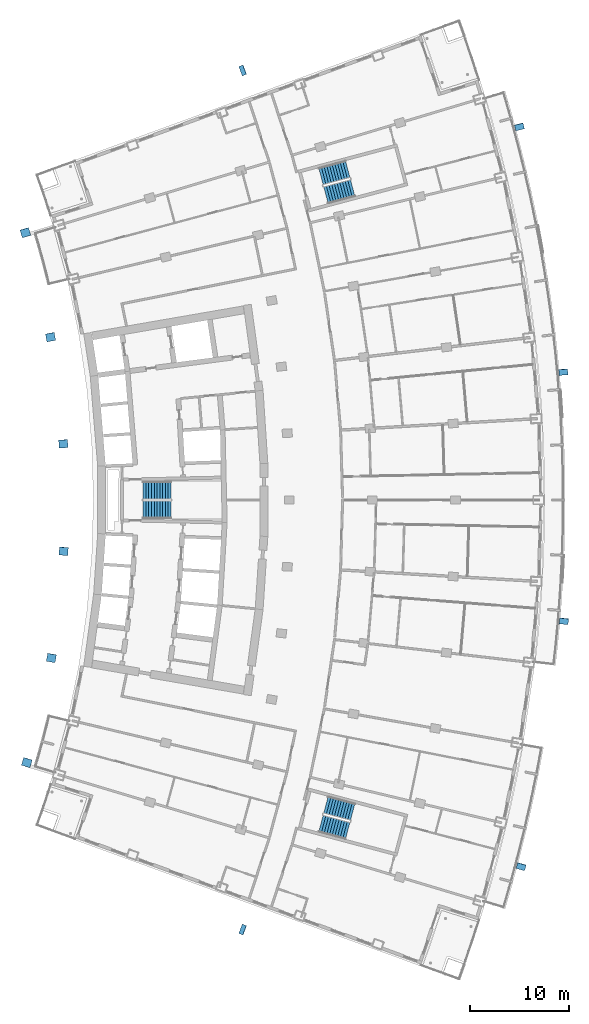
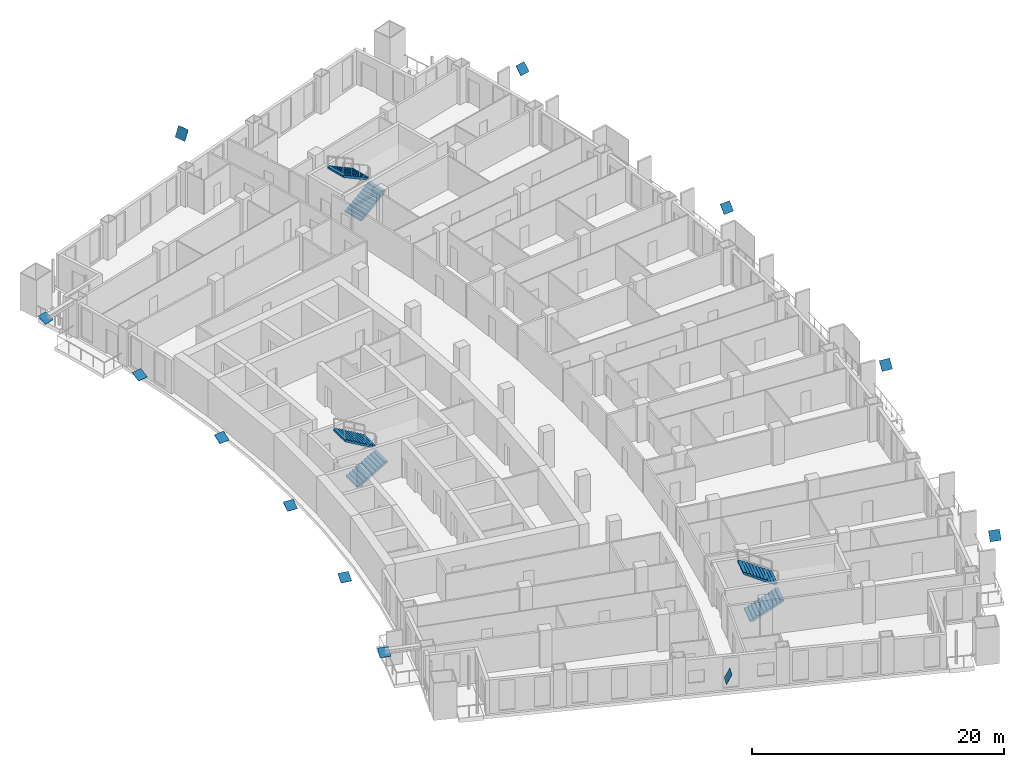
# One storey, part 22 of 25: 12 discrete accessories, 6 stair flights, 3 elements without a shape of their own.
"""IFC4 building model written with IfcOpenShell, lengths in metres."""

from ifc_helpers import new_model, si_unit, direction, frame, origin, origin_2d, place, context, subcontext, project, spatial, polyline, rectangle, outline, extrude, material, layer, layer_set, material_profile, profile_set, type_object, element, aggregate, save


model = new_model("IFC4")

# Units and contexts
model_context = context("Model", 3, precision=1e-05, world=origin(), true_north=direction((0.0, 1.0)))
body_context = subcontext(model_context, "Body", "Model", "MODEL_VIEW")
ifc_project = project(units=[si_unit("LENGTHUNIT", "METRE"), si_unit("AREAUNIT", "SQUARE_METRE"), si_unit("VOLUMEUNIT", "CUBIC_METRE"), si_unit("PLANEANGLEUNIT", "RADIAN"), si_unit("MASSUNIT", "GRAM", prefix="KILO")], contexts=[model_context])

# Site, building, storey
site_placement = place(None, origin())
site = spatial("IfcSite", under=ifc_project, at=site_placement, CompositionType="ELEMENT")
building_placement = place(site_placement, origin())
building = spatial("IfcBuilding", under=site, at=building_placement, Name="Alderwake Tower", CompositionType="ELEMENT")
storey_placement = place(building_placement, frame((0.0, 0.0, 111.199951171875)))
storey = spatial("IfcBuildingStorey", under=building, at=storey_placement, Name="L27", CompositionType="ELEMENT", Elevation=111.199951171875)

# Stair, stair flights
ifc_material_1 = material(Name="Concrete C40/50", Category="concrete")
stair_type = type_object("IfcStairType", Name="Core exit stair", PredefinedType="HALF_TURN_STAIR", material=ifc_material_1)
stair_1_placement = place(storey_placement, origin())
stair_1 = element("IfcStair", 1, at=stair_1_placement, inside=storey, type_object=stair_type, Name="L27 Exit Stair B", PredefinedType="HALF_TURN_STAIR")
ifc_material_2 = material(Name="Concrete C40/50", Category="concrete")
ifc_layer = layer(ifc_material_2, 0.14990234375)
ifc_layer_set = layer_set([ifc_layer], Name="Core stair flight")
stair_flight_type = type_object("IfcStairFlightType", Name="Core stair flight", PredefinedType="STRAIGHT", material=ifc_layer_set)
stair_flight_1_placement = place(storey_placement, frame((21.0400390625, 60.02490234375, 0.0), z_axis=(0.0, 0.0, 1.0), x_axis=(1.0, 0.0, 0.0)))
stair_flight_1 = element("IfcStairFlight", 2, at=stair_flight_1_placement, type_object=stair_flight_type, Name="ST-B flight 1", NumberOfRisers=11, NumberOfTreads=10, PredefinedType="STRAIGHT", RiserHeight=0.163636364, TreadLength=0.28, context=body_context, shape_type="SweptSolid", body=[
    extrude(outline(polyline([(0.0, 0.0), (0.0, 0.16357421875), (0.280029296875, 0.16357421875), (0.280029296875, 0.327392578125), (0.56005859375, 0.327392578125), (0.56005859375, 0.490966796875), (0.840087890625, 0.490966796875), (0.840087890625, 0.654541015625), (1.1201171875, 0.654541015625), (1.1201171875, 0.818115234375), (1.39990234375, 0.818115234375), (1.39990234375, 0.98193359375), (1.679931640625, 0.98193359375), (1.679931640625, 1.1455078125), (1.9599609375, 1.1455078125), (1.9599609375, 1.30908203125), (2.239990234375, 1.30908203125), (2.239990234375, 1.47265625), (2.52001953125, 1.47265625), (2.52001953125, 1.636474609375), (2.800048828125, 1.636474609375), (2.800048828125, 1.800048828125), (2.800048828125, 1.462646484375), (0.297119140625, 0.0), (0.0, 0.0)])), frame((0.0, 0.89990234375, 0.0), z_axis=(0.0, -1.0, 0.0), x_axis=(1.0, 0.0, 0.0)), (0.0, 0.0, 1.0), 1.800048828125),
])
stair_flight_2_placement = place(storey_placement, frame((23.840087890625, 61.97509765625, 1.800048828125), z_axis=(0.0, 0.0, 1.0), x_axis=(-1.0, 0.0, 0.0)))
stair_flight_2 = element("IfcStairFlight", 3, at=stair_flight_2_placement, type_object=stair_flight_type, Name="ST-B flight 2", NumberOfRisers=11, NumberOfTreads=10, PredefinedType="STRAIGHT", RiserHeight=0.163636364, TreadLength=0.28, context=body_context, shape_type="SweptSolid", body=[
    extrude(outline(polyline([(0.0, 0.0), (0.0, 0.16357421875), (0.280029296875, 0.16357421875), (0.280029296875, 0.327392578125), (0.56005859375, 0.327392578125), (0.56005859375, 0.490966796875), (0.840087890625, 0.490966796875), (0.840087890625, 0.654541015625), (1.1201171875, 0.654541015625), (1.1201171875, 0.818115234375), (1.39990234375, 0.818115234375), (1.39990234375, 0.98193359375), (1.679931640625, 0.98193359375), (1.679931640625, 1.1455078125), (1.9599609375, 1.1455078125), (1.9599609375, 1.30908203125), (2.239990234375, 1.30908203125), (2.239990234375, 1.47265625), (2.52001953125, 1.47265625), (2.52001953125, 1.636474609375), (2.800048828125, 1.636474609375), (2.800048828125, 1.800048828125), (2.800048828125, 1.462646484375), (0.297119140625, 0.0), (0.0, 0.0)])), frame((0.0, 0.89990234375, 0.0), z_axis=(0.0, -1.0, 0.0), x_axis=(1.0, 0.0, 0.0)), (0.0, 0.0, 1.0), 1.800048828125),
])
aggregate(stair_1, [stair_flight_1, stair_flight_2])

stair_2_placement = place(storey_placement, origin())
stair_2 = element("IfcStair", 4, at=stair_2_placement, inside=storey, type_object=stair_type, Name="L27 Exit Stair A", PredefinedType="HALF_TURN_STAIR")
stair_flight_3_placement = place(storey_placement, frame((39.512939453125, 91.823974609375, 0.0), z_axis=(0.0, 0.0, 1.0), x_axis=(0.966309627437, 0.257382407951, 0.0)))
stair_flight_3 = element("IfcStairFlight", 5, at=stair_flight_3_placement, type_object=stair_flight_type, Name="ST-A flight 1", NumberOfRisers=11, NumberOfTreads=10, PredefinedType="STRAIGHT", RiserHeight=0.163636364, TreadLength=0.28, context=body_context, shape_type="SweptSolid", body=[
    extrude(outline(polyline([(0.0, 0.0), (0.0, 0.16357421875), (0.280029296875, 0.16357421875), (0.280029296875, 0.327392578125), (0.56005859375, 0.327392578125), (0.56005859375, 0.490966796875), (0.840087890625, 0.490966796875), (0.840087890625, 0.654541015625), (1.1201171875, 0.654541015625), (1.1201171875, 0.818115234375), (1.39990234375, 0.818115234375), (1.39990234375, 0.98193359375), (1.679931640625, 0.98193359375), (1.679931640625, 1.1455078125), (1.9599609375, 1.1455078125), (1.9599609375, 1.30908203125), (2.239990234375, 1.30908203125), (2.239990234375, 1.47265625), (2.52001953125, 1.47265625), (2.52001953125, 1.636474609375), (2.800048828125, 1.636474609375), (2.800048828125, 1.800048828125), (2.800048828125, 1.462646484375), (0.297119140625, 0.0), (0.0, 0.0)])), frame((0.0, 0.89990234375, 0.0), z_axis=(0.0, -1.0, 0.0), x_axis=(1.0, 0.0, 0.0)), (0.0, 0.0, 1.0), 1.800048828125),
])
stair_flight_4_placement = place(storey_placement, frame((41.716796875, 94.428955078125, 1.800048828125), z_axis=(0.0, 0.0, 1.0), x_axis=(-0.966309627437, -0.257382407951, 0.0)))
stair_flight_4 = element("IfcStairFlight", 6, at=stair_flight_4_placement, type_object=stair_flight_type, Name="ST-A flight 2", NumberOfRisers=11, NumberOfTreads=10, PredefinedType="STRAIGHT", RiserHeight=0.163636364, TreadLength=0.28, context=body_context, shape_type="SweptSolid", body=[
    extrude(outline(polyline([(0.0, 0.0), (0.0, 0.16357421875), (0.280029296875, 0.16357421875), (0.280029296875, 0.327392578125), (0.56005859375, 0.327392578125), (0.56005859375, 0.490966796875), (0.840087890625, 0.490966796875), (0.840087890625, 0.654541015625), (1.1201171875, 0.654541015625), (1.1201171875, 0.818115234375), (1.39990234375, 0.818115234375), (1.39990234375, 0.98193359375), (1.679931640625, 0.98193359375), (1.679931640625, 1.1455078125), (1.9599609375, 1.1455078125), (1.9599609375, 1.30908203125), (2.239990234375, 1.30908203125), (2.239990234375, 1.47265625), (2.52001953125, 1.47265625), (2.52001953125, 1.636474609375), (2.800048828125, 1.636474609375), (2.800048828125, 1.800048828125), (2.800048828125, 1.462646484375), (0.297119140625, 0.0), (0.0, 0.0)])), frame((0.0, 0.89990234375, 0.0), z_axis=(0.0, -1.0, 0.0), x_axis=(1.0, 0.0, 0.0)), (0.0, 0.0, 1.0), 1.800048828125),
])
aggregate(stair_2, [stair_flight_3, stair_flight_4])

stair_3_placement = place(storey_placement, origin())
stair_3 = element("IfcStair", 7, at=stair_3_placement, inside=storey, type_object=stair_type, Name="L27 Exit Stair C", PredefinedType="HALF_TURN_STAIR")
stair_flight_5_placement = place(storey_placement, frame((39.010986328125, 28.291748046875, 0.0), z_axis=(0.0, 0.0, 1.0), x_axis=(0.966309627437, -0.257382407951, 0.0)))
stair_flight_5 = element("IfcStairFlight", 8, at=stair_flight_5_placement, type_object=stair_flight_type, Name="ST-C flight 1", NumberOfRisers=11, NumberOfTreads=10, PredefinedType="STRAIGHT", RiserHeight=0.163636364, TreadLength=0.28, context=body_context, shape_type="SweptSolid", body=[
    extrude(outline(polyline([(0.0, 0.0), (0.0, 0.16357421875), (0.280029296875, 0.16357421875), (0.280029296875, 0.327392578125), (0.56005859375, 0.327392578125), (0.56005859375, 0.490966796875), (0.840087890625, 0.490966796875), (0.840087890625, 0.654541015625), (1.1201171875, 0.654541015625), (1.1201171875, 0.818115234375), (1.39990234375, 0.818115234375), (1.39990234375, 0.98193359375), (1.679931640625, 0.98193359375), (1.679931640625, 1.1455078125), (1.9599609375, 1.1455078125), (1.9599609375, 1.30908203125), (2.239990234375, 1.30908203125), (2.239990234375, 1.47265625), (2.52001953125, 1.47265625), (2.52001953125, 1.636474609375), (2.800048828125, 1.636474609375), (2.800048828125, 1.800048828125), (2.800048828125, 1.462646484375), (0.297119140625, 0.0), (0.0, 0.0)])), frame((0.0, 0.89990234375, 0.0), z_axis=(0.0, -1.0, 0.0), x_axis=(1.0, 0.0, 0.0)), (0.0, 0.0, 1.0), 1.800048828125),
])
stair_flight_6_placement = place(storey_placement, frame((42.218505859375, 29.455322265625, 1.800048828125), z_axis=(0.0, 0.0, 1.0), x_axis=(-0.966309627437, 0.257382407951, 0.0)))
stair_flight_6 = element("IfcStairFlight", 9, at=stair_flight_6_placement, type_object=stair_flight_type, Name="ST-C flight 2", NumberOfRisers=11, NumberOfTreads=10, PredefinedType="STRAIGHT", RiserHeight=0.163636364, TreadLength=0.28, context=body_context, shape_type="SweptSolid", body=[
    extrude(outline(polyline([(0.0, 0.0), (0.0, 0.16357421875), (0.280029296875, 0.16357421875), (0.280029296875, 0.327392578125), (0.56005859375, 0.327392578125), (0.56005859375, 0.490966796875), (0.840087890625, 0.490966796875), (0.840087890625, 0.654541015625), (1.1201171875, 0.654541015625), (1.1201171875, 0.818115234375), (1.39990234375, 0.818115234375), (1.39990234375, 0.98193359375), (1.679931640625, 0.98193359375), (1.679931640625, 1.1455078125), (1.9599609375, 1.1455078125), (1.9599609375, 1.30908203125), (2.239990234375, 1.30908203125), (2.239990234375, 1.47265625), (2.52001953125, 1.47265625), (2.52001953125, 1.636474609375), (2.800048828125, 1.636474609375), (2.800048828125, 1.800048828125), (2.800048828125, 1.462646484375), (0.297119140625, 0.0), (0.0, 0.0)])), frame((0.0, 0.89990234375, 0.0), z_axis=(0.0, -1.0, 0.0), x_axis=(1.0, 0.0, 0.0)), (0.0, 0.0, 1.0), 1.800048828125),
])
aggregate(stair_3, [stair_flight_5, stair_flight_6])

# Discrete accessories
ifc_material_3 = material(Name="Steel ASTM A572 Grade 50", Category="steel")
ifc_material_profile_1 = material_profile(ifc_material_3, rectangle(XDim=1.0, YDim=1.0, at=origin_2d()), Name="BOX 1000X1000X60 cap")
ifc_profile_set_1 = profile_set([ifc_material_profile_1], Name="Steel ASTM A572 Grade 50")
discrete_accessory_type_1 = type_object("IfcDiscreteAccessoryType", Name="End cap plate BOX 1000X1000X60", PredefinedType="USERDEFINED", material=ifc_profile_set_1)
for number, where, z_axis, x_axis, name in (
    (10, (31.109619140625, 17.5673828125, 3.3701171875), (-0.839704916426, 0.317946521754, 0.440233645505), (-0.35410675099, -0.935205009024, 0.0), "End cap BRS2.2.0B1 X"),
    (11, (31.109619140625, 104.4326171875, 3.3701171875), (-0.839704916426, -0.317946521754, 0.440233645505), (0.35410675099, -0.935205009024, 0.0), "End cap BRN2.2.0B1 X"),
):
    element("IfcDiscreteAccessory", number, at=place(storey_placement, frame(where, z_axis=z_axis, x_axis=x_axis)), inside=storey, type_object=discrete_accessory_type_1, Name=name, ObjectType="END CAP", PredefinedType="USERDEFINED", context=body_context, shape_type="SweptSolid", body=[
        extrude(rectangle(XDim=1.0, YDim=1.0, at=origin_2d()), origin(), (0.0, 0.0, 1.0), 0.030029296875),
    ])
ifc_material_4 = material(Name="Steel ASTM A572 Grade 50", Category="steel")
ifc_material_profile_2 = material_profile(ifc_material_4, rectangle(XDim=0.89990234375, YDim=0.89990234375, at=origin_2d()), Name="BOX 900X900X55 cap")
ifc_profile_set_2 = profile_set([ifc_material_profile_2], Name="Steel ASTM A572 Grade 50")
discrete_accessory_type_2 = type_object("IfcDiscreteAccessoryType", Name="End cap plate BOX 900X900X55", PredefinedType="USERDEFINED", material=ifc_profile_set_2)
for number, where, z_axis, x_axis, name in (
    (12, (59.24755859375, 23.94482421875, 3.3173828125), (-0.211054535295, -0.730573391407, 0.64939857014), (0.960714182841, -0.277539652821, 0.0), "End cap BRF2.2.1B1 X"),
    (13, (63.572509765625, 48.7548828125, 3.3173828125), (-0.081247127838, -0.755598288892, 0.649977022703), (0.994268636888, -0.106910606117, 0.0), "End cap BRF2.2.4B1 X"),
    (14, (63.511474609375, 73.93896484375, 3.3173828125), (0.056968965018, -0.756873392383, 0.651073885921), (0.997179282295, 0.075056505119, 0.0), "End cap BRF2.2.7B1 X"),
    (15, (59.06689453125, 98.727783203125, 3.3173828125), (0.187612942008, -0.734137599163, 0.652566754812), (0.968862785912, 0.247598267511, 0.0), "End cap BRF2.2.10B1 X"),
    (16, (9.28076171875, 34.460693359375, 3.095458984375), (-0.129926809902, -0.430382557802, 0.893246818079), (0.957327710787, -0.289004591936, 0.0), "End cap BRR2.2.1B1 X"),
    (17, (11.762939453125, 45.03369140625, 3.095458984375), (-0.081044089847, -0.44574249416, 0.89148498832), (0.9838699101, -0.1788854382, 0.0), "End cap BRR2.2.3B1 X"),
    (18, (12.997802734375, 55.823486328125, 3.095458984375), (-0.032507435656, -0.446977240277, 0.893954480553), (0.997365816959, -0.072535695779, 0.0), "End cap BRR2.2.5B1 X"),
    (19, (12.968017578125, 66.683837890625, 3.095458984375), (0.032507435656, -0.446977240277, 0.893954480553), (0.997365816959, 0.072535695779, 0.0), "End cap BRR2.2.7B1 X"),
    (20, (11.674560546875, 77.466796875, 3.095458984375), (0.08133576549, -0.439213133645, 0.894693420388), (0.983282004984, 0.182089260182, 0.0), "End cap BRR2.2.9B1 X"),
    (21, (9.134521484375, 88.026123046875, 3.095458984375), (0.129926809902, -0.430382557802, 0.893246818079), (0.957327710787, 0.289004591936, 0.0), "End cap BRR2.2.11B1 X"),
):
    element("IfcDiscreteAccessory", number, at=place(storey_placement, frame(where, z_axis=z_axis, x_axis=x_axis)), inside=storey, type_object=discrete_accessory_type_2, Name=name, ObjectType="END CAP", PredefinedType="USERDEFINED", context=body_context, shape_type="SweptSolid", body=[
        extrude(rectangle(XDim=0.89990234375, YDim=0.89990234375, at=origin_2d()), origin(), (0.0, 0.0, 1.0), 0.030029296875),
    ])

save(model, "model.ifc")
